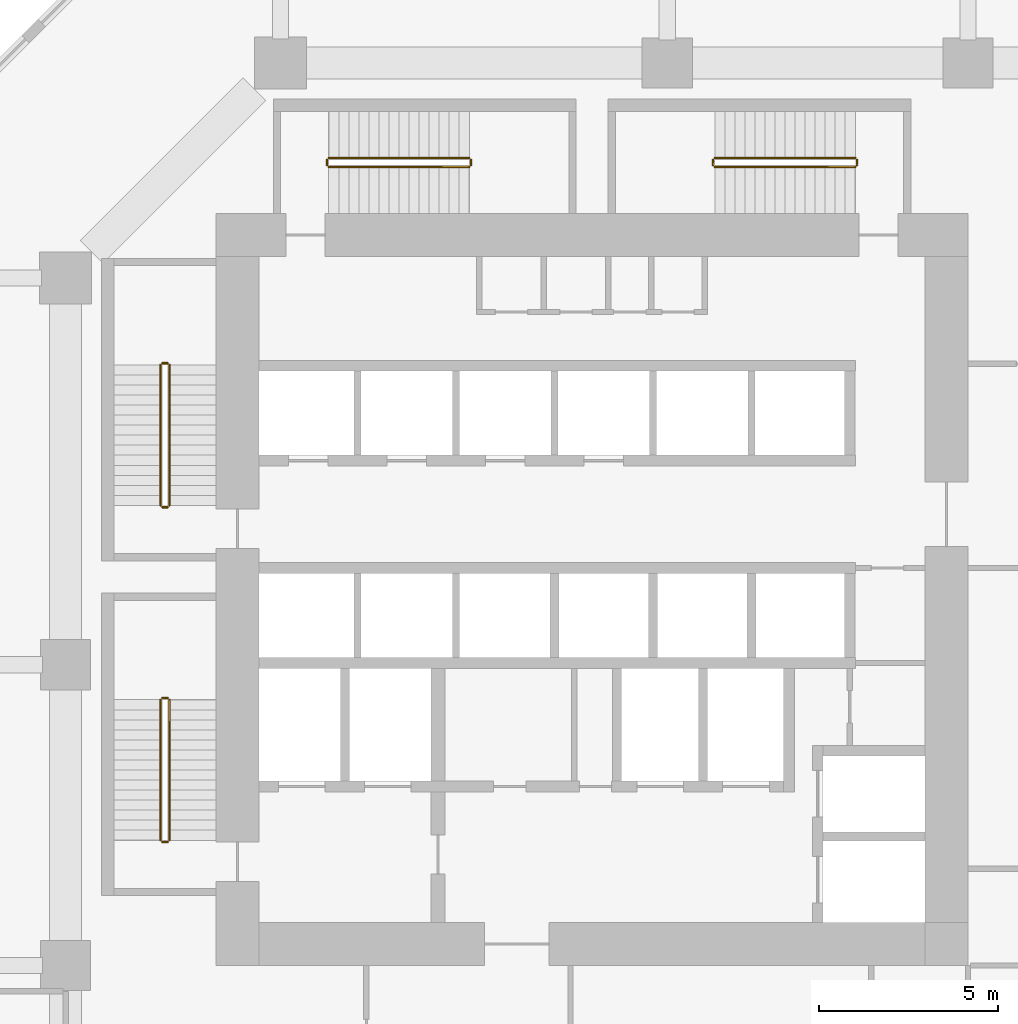
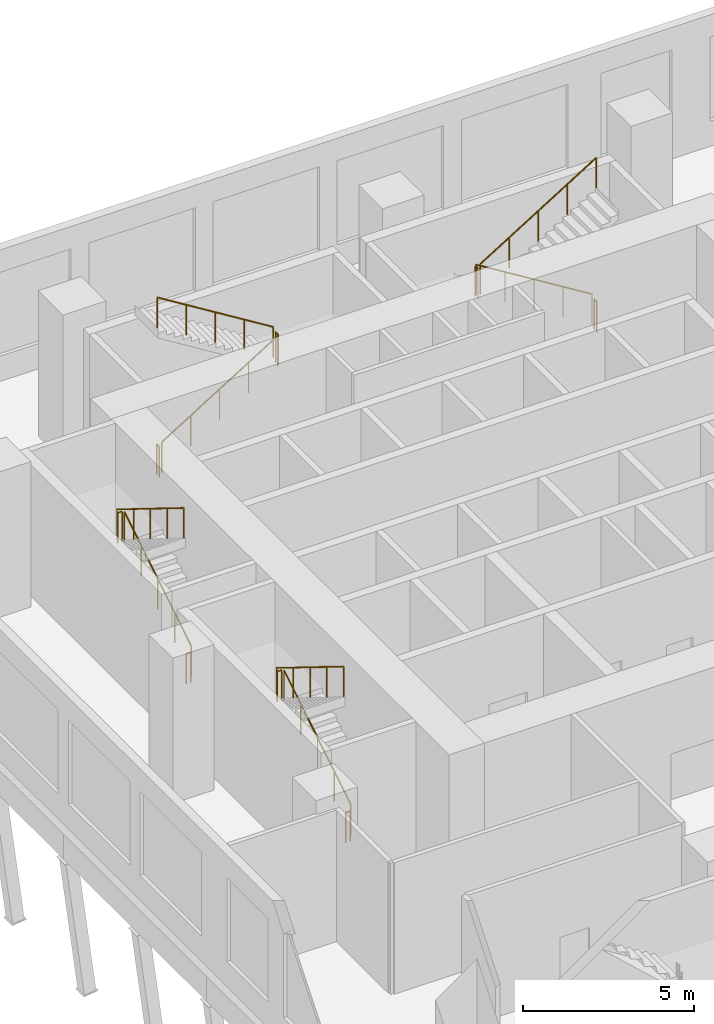
# One storey, part 23 of 25: 16 railings.
"""IFC4 building model written with IfcOpenShell, lengths in metres."""

from ifc_helpers import new_model, si_unit, direction, frame, origin, origin_2d, place, context, subcontext, project, spatial, circle, extrude, material, type_object, element, save


model = new_model("IFC4")

# Units and contexts
model_context = context("Model", 3, precision=1e-05, world=origin(), true_north=direction((0.0, 1.0)))
body_context = subcontext(model_context, "Body", "Model", "MODEL_VIEW")
ifc_project = project(units=[si_unit("LENGTHUNIT", "METRE"), si_unit("AREAUNIT", "SQUARE_METRE"), si_unit("VOLUMEUNIT", "CUBIC_METRE"), si_unit("PLANEANGLEUNIT", "RADIAN"), si_unit("MASSUNIT", "GRAM", prefix="KILO")], contexts=[model_context])

# Site, building, storey
site_placement = place(None, origin())
site = spatial("IfcSite", under=ifc_project, at=site_placement, CompositionType="ELEMENT")
building_placement = place(site_placement, origin())
building = spatial("IfcBuilding", under=site, at=building_placement, Name="Kawkab Arch Medical Tower", CompositionType="ELEMENT")
storey_placement = place(building_placement, frame((0.0, 0.0, 29.0)))
storey = spatial("IfcBuildingStorey", under=building, at=storey_placement, Name="L06", CompositionType="ELEMENT", Elevation=29.0)

# Railings
ifc_material = material(Name="Stainless steel", Category="steel")
railing_type = type_object("IfcRailingType", Name="Stair guard 1100", PredefinedType="GUARDRAIL", material=ifc_material)
railing_1_placement = place(storey_placement, frame((2.89990234375, -12.35009765625, 0.17333984375)))
element("IfcRailing", 1, at=railing_1_placement, inside=storey, type_object=railing_type, Name="L06 ST1 stair guard 1", PredefinedType="GUARDRAIL", context=body_context, shape_type="SweptSolid", body=[
    extrude(circle(Radius=0.02392578125, at=origin_2d()), frame((0.0, 0.0, 1.076171875), z_axis=(0.0, 0.850266275192, 0.526352791643), x_axis=(-1.0, 0.0, 0.0)), (0.0, 0.0, 1.0), 4.610595703125),
    extrude(circle(Radius=0.02099609375, at=origin_2d()), origin(), (0.0, 0.0, 1.0), 1.052001953125),
    extrude(circle(Radius=0.02099609375, at=origin_2d()), frame((0.0, 0.97998046875, 0.606689453125)), (0.0, 0.0, 1.0), 1.052001953125),
    extrude(circle(Radius=0.02099609375, at=origin_2d()), frame((0.0, 1.9599609375, 1.21337890625)), (0.0, 0.0, 1.0), 1.052001953125),
    extrude(circle(Radius=0.02099609375, at=origin_2d()), frame((0.0, 2.940185546875, 1.820068359375)), (0.0, 0.0, 1.0), 1.052001953125),
    extrude(circle(Radius=0.02099609375, at=origin_2d()), frame((0.0, 3.920166015625, 2.4267578125)), (0.0, 0.0, 1.0), 1.052001953125),
])
railing_2_placement = place(storey_placement, frame((2.85009765625, -8.3798828125, 2.60009765625)))
element("IfcRailing", 2, at=railing_2_placement, inside=storey, type_object=railing_type, Name="L06 ST1 stair guard 2", PredefinedType="GUARDRAIL", context=body_context, shape_type="SweptSolid", body=[
    extrude(circle(Radius=0.02392578125, at=origin_2d()), frame((0.0, 0.0, 1.076171875), z_axis=(-1.0, 0.0, 0.0), x_axis=(0.0, -1.0, 0.0)), (0.0, 0.0, 1.0), 0.150146484375),
    extrude(circle(Radius=0.02099609375, at=origin_2d()), origin(), (0.0, 0.0, 1.0), 1.052001953125),
    extrude(circle(Radius=0.02099609375, at=origin_2d()), frame((-0.150146484375, 0.0, 0.0)), (0.0, 0.0, 1.0), 1.052001953125),
])
railing_3_placement = place(storey_placement, frame((2.64990234375, -8.429931640625, 2.7734375)))
element("IfcRailing", 3, at=railing_3_placement, inside=storey, type_object=railing_type, Name="L06 ST1 stair guard 3", PredefinedType="GUARDRAIL", context=body_context, shape_type="SweptSolid", body=[
    extrude(circle(Radius=0.02392578125, at=origin_2d()), frame((0.0, 0.0, 1.076171875), z_axis=(0.0, -0.850289973577, 0.526314507528), x_axis=(1.0, 0.0, 0.0)), (0.0, 0.0, 1.0), 4.6103515625),
    extrude(circle(Radius=0.02099609375, at=origin_2d()), origin(), (0.0, 0.0, 1.0), 1.052001953125),
    extrude(circle(Radius=0.02099609375, at=origin_2d()), frame((0.0, -0.97998046875, 0.606689453125)), (0.0, 0.0, 1.0), 1.052001953125),
    extrude(circle(Radius=0.02099609375, at=origin_2d()), frame((0.0, -1.9599609375, 1.21337890625)), (0.0, 0.0, 1.0), 1.052001953125),
    extrude(circle(Radius=0.02099609375, at=origin_2d()), frame((0.0, -2.940185546875, 1.81982421875)), (0.0, 0.0, 1.0), 1.052001953125),
    extrude(circle(Radius=0.02099609375, at=origin_2d()), frame((0.0, -3.920166015625, 2.426513671875)), (0.0, 0.0, 1.0), 1.052001953125),
])
railing_4_placement = place(storey_placement, frame((2.85009765625, -12.39990234375, 0.0)))
element("IfcRailing", 4, at=railing_4_placement, inside=storey, type_object=railing_type, Name="L06 ST1 stair guard 4", PredefinedType="GUARDRAIL", context=body_context, shape_type="SweptSolid", body=[
    extrude(circle(Radius=0.02392578125, at=origin_2d()), frame((0.0, 0.0, 1.076171875), z_axis=(-1.0, 0.0, 0.0), x_axis=(0.0, -1.0, 0.0)), (0.0, 0.0, 1.0), 0.150146484375),
    extrude(circle(Radius=0.02099609375, at=origin_2d()), origin(), (0.0, 0.0, 1.0), 1.052001953125),
    extrude(circle(Radius=0.02099609375, at=origin_2d()), frame((-0.150146484375, 0.0, 0.0)), (0.0, 0.0, 1.0), 1.052001953125),
])
railing_5_placement = place(storey_placement, frame((2.89990234375, -21.699951171875, 0.17333984375)))
element("IfcRailing", 5, at=railing_5_placement, inside=storey, type_object=railing_type, Name="L06 ST2 stair guard 1", PredefinedType="GUARDRAIL", context=body_context, shape_type="SweptSolid", body=[
    extrude(circle(Radius=0.02392578125, at=origin_2d()), frame((0.0, 0.0, 1.076171875), z_axis=(0.0, 0.850251603719, 0.526376491091), x_axis=(-1.0, 0.0, 0.0)), (0.0, 0.0, 1.0), 4.6103515625),
    extrude(circle(Radius=0.02099609375, at=origin_2d()), origin(), (0.0, 0.0, 1.0), 1.052001953125),
    extrude(circle(Radius=0.02099609375, at=origin_2d()), frame((0.0, 0.97998046875, 0.606689453125)), (0.0, 0.0, 1.0), 1.052001953125),
    extrude(circle(Radius=0.02099609375, at=origin_2d()), frame((0.0, 1.9599609375, 1.21337890625)), (0.0, 0.0, 1.0), 1.052001953125),
    extrude(circle(Radius=0.02099609375, at=origin_2d()), frame((0.0, 2.93994140625, 1.820068359375)), (0.0, 0.0, 1.0), 1.052001953125),
    extrude(circle(Radius=0.02099609375, at=origin_2d()), frame((0.0, 3.919921875, 2.4267578125)), (0.0, 0.0, 1.0), 1.052001953125),
])
railing_6_placement = place(storey_placement, frame((2.85009765625, -17.72998046875, 2.60009765625)))
element("IfcRailing", 6, at=railing_6_placement, inside=storey, type_object=railing_type, Name="L06 ST2 stair guard 2", PredefinedType="GUARDRAIL", context=body_context, shape_type="SweptSolid", body=[
    extrude(circle(Radius=0.02392578125, at=origin_2d()), frame((0.0, 0.0, 1.076171875), z_axis=(-1.0, 0.0, 0.0), x_axis=(0.0, -1.0, 0.0)), (0.0, 0.0, 1.0), 0.150146484375),
    extrude(circle(Radius=0.02099609375, at=origin_2d()), origin(), (0.0, 0.0, 1.0), 1.052001953125),
    extrude(circle(Radius=0.02099609375, at=origin_2d()), frame((-0.150146484375, 0.0, 0.0)), (0.0, 0.0, 1.0), 1.052001953125),
])
railing_7_placement = place(storey_placement, frame((2.64990234375, -17.780029296875, 2.7734375)))
element("IfcRailing", 7, at=railing_7_placement, inside=storey, type_object=railing_type, Name="L06 ST2 stair guard 3", PredefinedType="GUARDRAIL", context=body_context, shape_type="SweptSolid", body=[
    extrude(circle(Radius=0.02392578125, at=origin_2d()), frame((0.0, 0.0, 1.076171875), z_axis=(0.0, -0.850275303828, 0.526338206574), x_axis=(1.0, 0.0, 0.0)), (0.0, 0.0, 1.0), 4.610107421875),
    extrude(circle(Radius=0.02099609375, at=origin_2d()), origin(), (0.0, 0.0, 1.0), 1.052001953125),
    extrude(circle(Radius=0.02099609375, at=origin_2d()), frame((0.0, -0.97998046875, 0.606689453125)), (0.0, 0.0, 1.0), 1.052001953125),
    extrude(circle(Radius=0.02099609375, at=origin_2d()), frame((0.0, -1.9599609375, 1.21337890625)), (0.0, 0.0, 1.0), 1.052001953125),
    extrude(circle(Radius=0.02099609375, at=origin_2d()), frame((0.0, -2.93994140625, 1.81982421875)), (0.0, 0.0, 1.0), 1.052001953125),
    extrude(circle(Radius=0.02099609375, at=origin_2d()), frame((0.0, -3.919921875, 2.426513671875)), (0.0, 0.0, 1.0), 1.052001953125),
])
railing_8_placement = place(storey_placement, frame((2.85009765625, -21.75, 0.0)))
element("IfcRailing", 8, at=railing_8_placement, inside=storey, type_object=railing_type, Name="L06 ST2 stair guard 4", PredefinedType="GUARDRAIL", context=body_context, shape_type="SweptSolid", body=[
    extrude(circle(Radius=0.02392578125, at=origin_2d()), frame((0.0, 0.0, 1.076171875), z_axis=(-1.0, 0.0, 0.0), x_axis=(0.0, -1.0, 0.0)), (0.0, 0.0, 1.0), 0.150146484375),
    extrude(circle(Radius=0.02099609375, at=origin_2d()), origin(), (0.0, 0.0, 1.0), 1.052001953125),
    extrude(circle(Radius=0.02099609375, at=origin_2d()), frame((-0.150146484375, 0.0, 0.0)), (0.0, 0.0, 1.0), 1.052001953125),
])
railing_9_placement = place(storey_placement, frame((7.35009765625, -2.89990234375, 0.17333984375)))
element("IfcRailing", 9, at=railing_9_placement, inside=storey, type_object=railing_type, Name="L06 ST3 stair guard 1", PredefinedType="GUARDRAIL", context=body_context, shape_type="SweptSolid", body=[
    extrude(circle(Radius=0.02392578125, at=origin_2d()), frame((0.0, 0.0, 1.076171875), z_axis=(0.850251603719, 0.0, 0.526376491091), x_axis=(0.0, 1.0, 0.0)), (0.0, 0.0, 1.0), 4.6103515625),
    extrude(circle(Radius=0.02099609375, at=origin_2d()), origin(), (0.0, 0.0, 1.0), 1.052001953125),
    extrude(circle(Radius=0.02099609375, at=origin_2d()), frame((0.97998046875, 0.0, 0.606689453125)), (0.0, 0.0, 1.0), 1.052001953125),
    extrude(circle(Radius=0.02099609375, at=origin_2d()), frame((1.9599609375, 0.0, 1.21337890625)), (0.0, 0.0, 1.0), 1.052001953125),
    extrude(circle(Radius=0.02099609375, at=origin_2d()), frame((2.93994140625, 0.0, 1.820068359375)), (0.0, 0.0, 1.0), 1.052001953125),
    extrude(circle(Radius=0.02099609375, at=origin_2d()), frame((3.919921875, 0.0, 2.4267578125)), (0.0, 0.0, 1.0), 1.052001953125),
])
railing_10_placement = place(storey_placement, frame((11.320068359375, -2.85009765625, 2.60009765625)))
element("IfcRailing", 10, at=railing_10_placement, inside=storey, type_object=railing_type, Name="L06 ST3 stair guard 2", PredefinedType="GUARDRAIL", context=body_context, shape_type="SweptSolid", body=[
    extrude(circle(Radius=0.02392578125, at=origin_2d()), frame((0.0, 0.0, 1.076171875), z_axis=(0.0, 1.0, 0.0), x_axis=(-1.0, 0.0, 0.0)), (0.0, 0.0, 1.0), 0.150146484375),
    extrude(circle(Radius=0.02099609375, at=origin_2d()), origin(), (0.0, 0.0, 1.0), 1.052001953125),
    extrude(circle(Radius=0.02099609375, at=origin_2d()), frame((0.0, 0.150146484375, 0.0)), (0.0, 0.0, 1.0), 1.052001953125),
])
railing_11_placement = place(storey_placement, frame((11.27001953125, -2.64990234375, 2.7734375)))
element("IfcRailing", 11, at=railing_11_placement, inside=storey, type_object=railing_type, Name="L06 ST3 stair guard 3", PredefinedType="GUARDRAIL", context=body_context, shape_type="SweptSolid", body=[
    extrude(circle(Radius=0.02392578125, at=origin_2d()), frame((0.0, 0.0, 1.076171875), z_axis=(-0.850275303828, 0.0, 0.526338206574), x_axis=(0.0, -1.0, 0.0)), (0.0, 0.0, 1.0), 4.610107421875),
    extrude(circle(Radius=0.02099609375, at=origin_2d()), origin(), (0.0, 0.0, 1.0), 1.052001953125),
    extrude(circle(Radius=0.02099609375, at=origin_2d()), frame((-0.97998046875, 0.0, 0.606689453125)), (0.0, 0.0, 1.0), 1.052001953125),
    extrude(circle(Radius=0.02099609375, at=origin_2d()), frame((-1.9599609375, 0.0, 1.21337890625)), (0.0, 0.0, 1.0), 1.052001953125),
    extrude(circle(Radius=0.02099609375, at=origin_2d()), frame((-2.93994140625, 0.0, 1.81982421875)), (0.0, 0.0, 1.0), 1.052001953125),
    extrude(circle(Radius=0.02099609375, at=origin_2d()), frame((-3.919921875, 0.0, 2.426513671875)), (0.0, 0.0, 1.0), 1.052001953125),
])
railing_12_placement = place(storey_placement, frame((7.300048828125, -2.85009765625, 0.0)))
element("IfcRailing", 12, at=railing_12_placement, inside=storey, type_object=railing_type, Name="L06 ST3 stair guard 4", PredefinedType="GUARDRAIL", context=body_context, shape_type="SweptSolid", body=[
    extrude(circle(Radius=0.02392578125, at=origin_2d()), frame((0.0, 0.0, 1.076171875), z_axis=(0.0, 1.0, 0.0), x_axis=(-1.0, 0.0, 0.0)), (0.0, 0.0, 1.0), 0.150146484375),
    extrude(circle(Radius=0.02099609375, at=origin_2d()), origin(), (0.0, 0.0, 1.0), 1.052001953125),
    extrude(circle(Radius=0.02099609375, at=origin_2d()), frame((0.0, 0.150146484375, 0.0)), (0.0, 0.0, 1.0), 1.052001953125),
])
railing_13_placement = place(storey_placement, frame((22.050048828125, -2.64990234375, 0.17333984375)))
element("IfcRailing", 13, at=railing_13_placement, inside=storey, type_object=railing_type, Name="L06 ST4 stair guard 1", PredefinedType="GUARDRAIL", context=body_context, shape_type="SweptSolid", body=[
    extrude(circle(Radius=0.02392578125, at=origin_2d()), frame((0.0, 0.0, 1.076171875), z_axis=(-0.850266275192, 0.0, 0.526352791643), x_axis=(0.0, -1.0, 0.0)), (0.0, 0.0, 1.0), 4.610595703125),
    extrude(circle(Radius=0.02099609375, at=origin_2d()), origin(), (0.0, 0.0, 1.0), 1.052001953125),
    extrude(circle(Radius=0.02099609375, at=origin_2d()), frame((-0.97998046875, 0.0, 0.606689453125)), (0.0, 0.0, 1.0), 1.052001953125),
    extrude(circle(Radius=0.02099609375, at=origin_2d()), frame((-1.9599609375, 0.0, 1.21337890625)), (0.0, 0.0, 1.0), 1.052001953125),
    extrude(circle(Radius=0.02099609375, at=origin_2d()), frame((-2.940185546875, 0.0, 1.820068359375)), (0.0, 0.0, 1.0), 1.052001953125),
    extrude(circle(Radius=0.02099609375, at=origin_2d()), frame((-3.920166015625, 0.0, 2.4267578125)), (0.0, 0.0, 1.0), 1.052001953125),
])
railing_14_placement = place(storey_placement, frame((18.080078125, -2.699951171875, 2.60009765625)))
element("IfcRailing", 14, at=railing_14_placement, inside=storey, type_object=railing_type, Name="L06 ST4 stair guard 2", PredefinedType="GUARDRAIL", context=body_context, shape_type="SweptSolid", body=[
    extrude(circle(Radius=0.02392578125, at=origin_2d()), frame((0.0, 0.0, 1.076171875), z_axis=(0.0, -1.0, 0.0), x_axis=(1.0, 0.0, 0.0)), (0.0, 0.0, 1.0), 0.150146484375),
    extrude(circle(Radius=0.02099609375, at=origin_2d()), origin(), (0.0, 0.0, 1.0), 1.052001953125),
    extrude(circle(Radius=0.02099609375, at=origin_2d()), frame((0.0, -0.150146484375, 0.0)), (0.0, 0.0, 1.0), 1.052001953125),
])
railing_15_placement = place(storey_placement, frame((18.1298828125, -2.89990234375, 2.7734375)))
element("IfcRailing", 15, at=railing_15_placement, inside=storey, type_object=railing_type, Name="L06 ST4 stair guard 3", PredefinedType="GUARDRAIL", context=body_context, shape_type="SweptSolid", body=[
    extrude(circle(Radius=0.02392578125, at=origin_2d()), frame((0.0, 0.0, 1.076171875), z_axis=(0.850289973577, 0.0, 0.526314507528), x_axis=(0.0, 1.0, 0.0)), (0.0, 0.0, 1.0), 4.6103515625),
    extrude(circle(Radius=0.02099609375, at=origin_2d()), origin(), (0.0, 0.0, 1.0), 1.052001953125),
    extrude(circle(Radius=0.02099609375, at=origin_2d()), frame((0.97998046875, 0.0, 0.606689453125)), (0.0, 0.0, 1.0), 1.052001953125),
    extrude(circle(Radius=0.02099609375, at=origin_2d()), frame((1.9599609375, 0.0, 1.21337890625)), (0.0, 0.0, 1.0), 1.052001953125),
    extrude(circle(Radius=0.02099609375, at=origin_2d()), frame((2.940185546875, 0.0, 1.81982421875)), (0.0, 0.0, 1.0), 1.052001953125),
    extrude(circle(Radius=0.02099609375, at=origin_2d()), frame((3.920166015625, 0.0, 2.426513671875)), (0.0, 0.0, 1.0), 1.052001953125),
])
railing_16_placement = place(storey_placement, frame((22.10009765625, -2.699951171875, 0.0)))
element("IfcRailing", 16, at=railing_16_placement, inside=storey, type_object=railing_type, Name="L06 ST4 stair guard 4", PredefinedType="GUARDRAIL", context=body_context, shape_type="SweptSolid", body=[
    extrude(circle(Radius=0.02392578125, at=origin_2d()), frame((0.0, 0.0, 1.076171875), z_axis=(0.0, -1.0, 0.0), x_axis=(1.0, 0.0, 0.0)), (0.0, 0.0, 1.0), 0.150146484375),
    extrude(circle(Radius=0.02099609375, at=origin_2d()), origin(), (0.0, 0.0, 1.0), 1.052001953125),
    extrude(circle(Radius=0.02099609375, at=origin_2d()), frame((0.0, -0.150146484375, 0.0)), (0.0, 0.0, 1.0), 1.052001953125),
])

save(model, "model.ifc")
